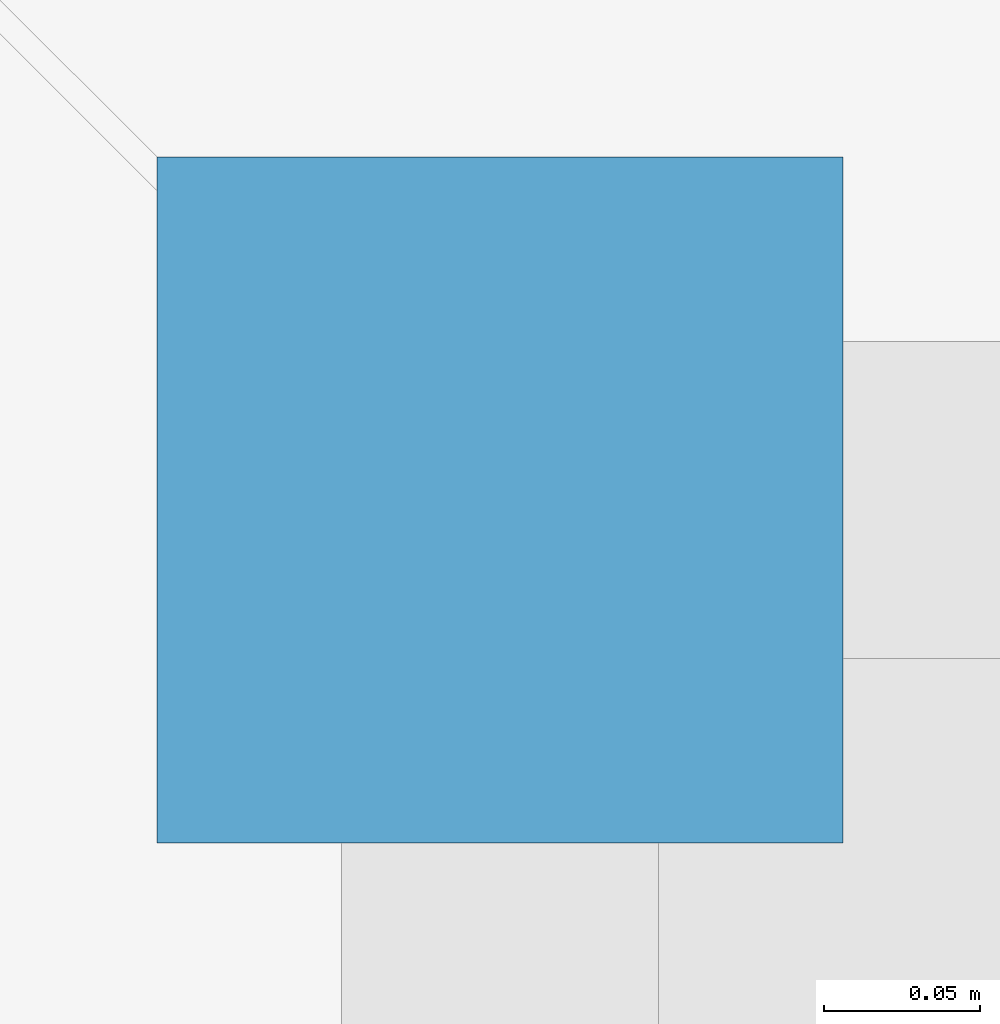
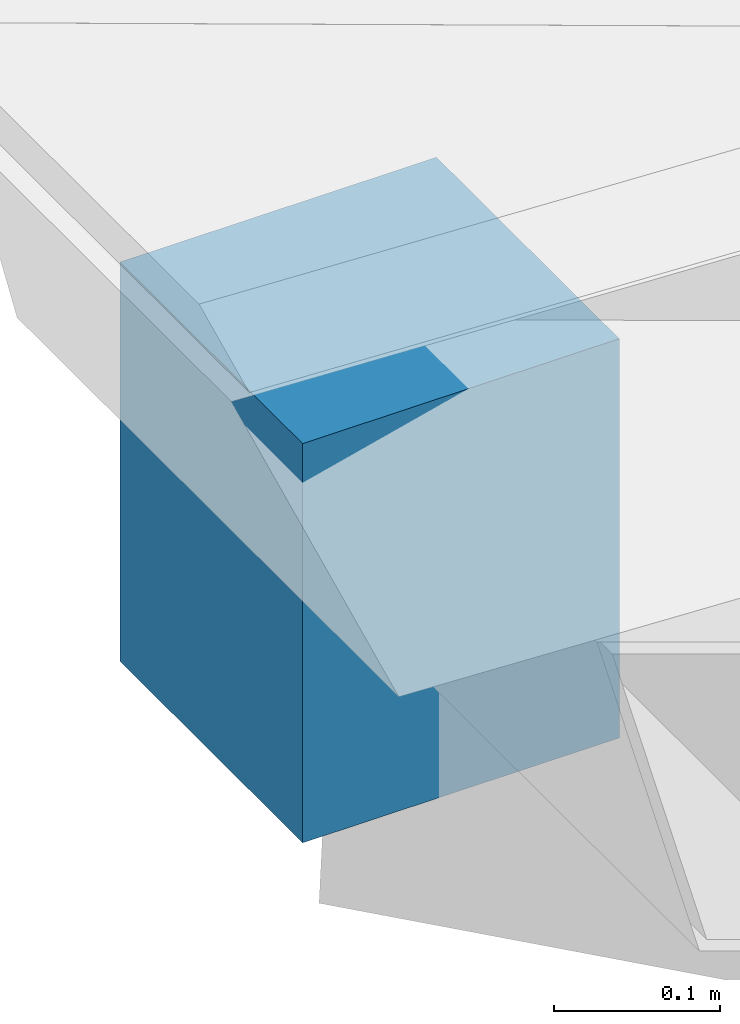
# One storey, part 88 of 100: 1 discrete accessory.
"""IFC4 building model written with IfcOpenShell, lengths in metres."""

from ifc_helpers import new_model, si_unit, direction, frame, origin, origin_2d, place, context, subcontext, project, spatial, rectangle, extrude, material, type_object, element, save


model = new_model("IFC4")

# Units and contexts
model_context = context("Model", 3, precision=1e-05, world=origin(), true_north=direction((0.0, 1.0)))
body_context = subcontext(model_context, "Body", "Model", "MODEL_VIEW")
ifc_project = project(units=[si_unit("LENGTHUNIT", "METRE"), si_unit("AREAUNIT", "SQUARE_METRE"), si_unit("VOLUMEUNIT", "CUBIC_METRE"), si_unit("PLANEANGLEUNIT", "RADIAN"), si_unit("MASSUNIT", "GRAM", prefix="KILO")], contexts=[model_context])

# Site, building, storey
site_placement = place(None, origin())
site = spatial("IfcSite", under=ifc_project, at=site_placement, CompositionType="ELEMENT")
building_placement = place(site_placement, origin())
building = spatial("IfcBuilding", under=site, at=building_placement, Name="Steenspoor Specialist Clinic", CompositionType="ELEMENT")
storey_placement = place(building_placement, frame((0.0, 0.0, 9.0)))
storey = spatial("IfcBuildingStorey", under=building, at=storey_placement, Name="L02", CompositionType="ELEMENT", Elevation=9.0)

# Discrete accessory
ifc_material = material(Name="Galvanised steel mounting bracket", Category="steel")
discrete_accessory_type = type_object("IfcDiscreteAccessoryType", Name="ACC-BRACKET-FIN", PredefinedType="BRACKET", material=ifc_material)
discrete_accessory_placement = place(storey_placement, frame((12.300048828125, 97.25, -0.39794921875), z_axis=(0.0, 0.0, 1.0), x_axis=(1.0, 0.0, 0.0)))
element("IfcDiscreteAccessory", 1, at=discrete_accessory_placement, inside=storey, type_object=discrete_accessory_type, Name="Eave Corner Hip Bracket 268", PredefinedType="BRACKET", context=body_context, shape_type="SweptSolid", body=[
    extrude(rectangle(XDim=0.219970703125, YDim=0.219970703125, at=origin_2d()), origin(), (0.0, 0.0, 1.0), 0.293212890625),
])

save(model, "model.ifc")
